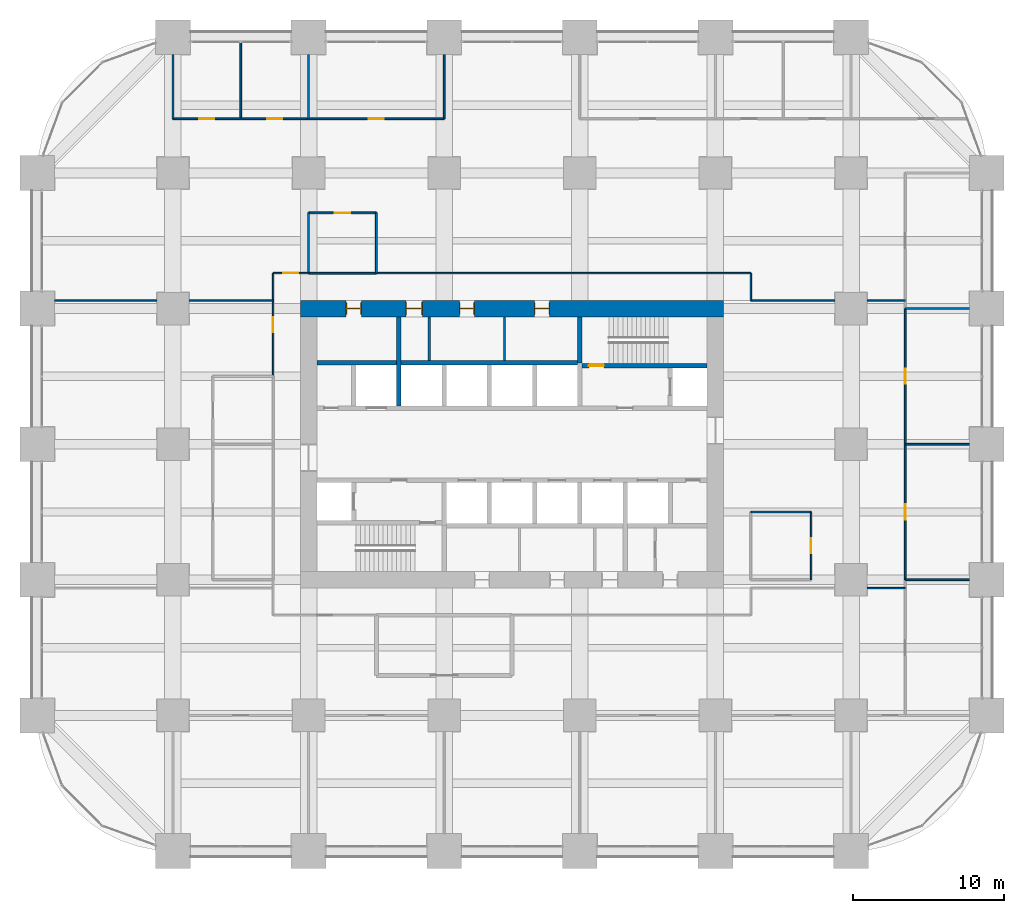
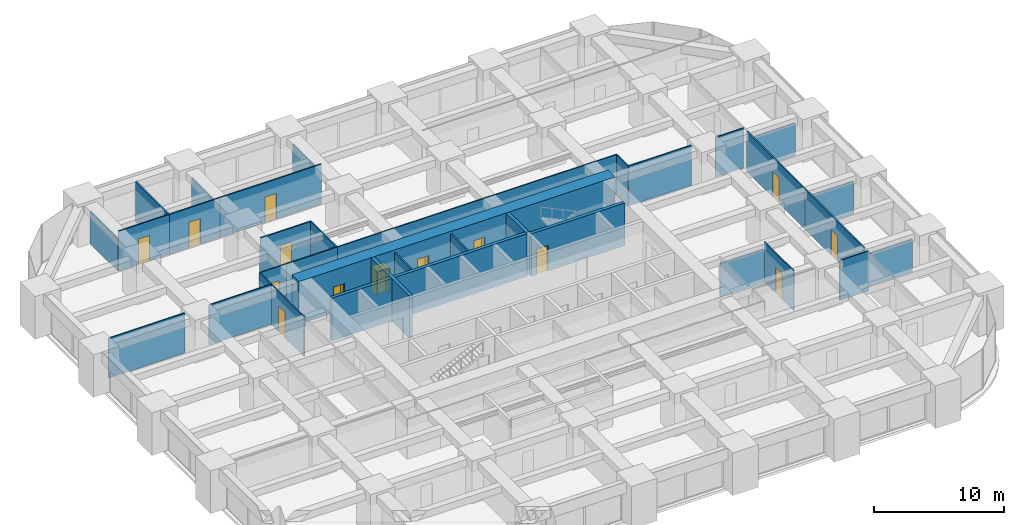
# One storey, part 41 of 44: 34 walls, 14 doors, 14 openings.
"""IFC4 building model written with IfcOpenShell, lengths in metres."""

from ifc_helpers import new_model, si_unit, direction, frame, frame_2d, origin, place, context, subcontext, project, spatial, rectangle, extrude, material, layer, layer_set, type_object, element, fill, save


model = new_model("IFC4")

# Units and contexts
model_context = context("Model", 3, precision=1e-05, world=origin(), true_north=direction((0.0, 1.0)))
body_context = subcontext(model_context, "Body", "Model", "MODEL_VIEW")
ifc_project = project(units=[si_unit("LENGTHUNIT", "METRE"), si_unit("AREAUNIT", "SQUARE_METRE"), si_unit("VOLUMEUNIT", "CUBIC_METRE"), si_unit("PLANEANGLEUNIT", "RADIAN"), si_unit("MASSUNIT", "GRAM", prefix="KILO")], contexts=[model_context])

# Site, building, storey
site_placement = place(None, origin())
site = spatial("IfcSite", under=ifc_project, at=site_placement, CompositionType="ELEMENT")
building_placement = place(site_placement, origin())
building = spatial("IfcBuilding", under=site, at=building_placement, Name="Zorevar Civic Tower", CompositionType="ELEMENT")
storey_placement = place(building_placement, frame((0.0, 0.0, 51.800048828125)))
storey = spatial("IfcBuildingStorey", under=building, at=storey_placement, Name="L12", CompositionType="ELEMENT", Elevation=51.800048828125)

# Wall, openings, doors
ifc_material_1 = material(Name="Concrete C50/60", Category="concrete")
ifc_layer_1 = layer(ifc_material_1, 1.10009765625)
ifc_layer_set_1 = layer_set([ifc_layer_1], Name="Core wall 1100")
wall_type_1 = type_object("IfcWallType", Name="Core wall 1100", PredefinedType="SHEAR", material=ifc_layer_set_1)
wall_1_placement = place(storey_placement, frame((45.550048828125, 36.0, 0.0), z_axis=(0.0, 0.0, 1.0), x_axis=(-1.0, 0.0, 0.0)))
wall_1 = element("IfcWall", 1, at=wall_1_placement, inside=storey, type_object=wall_type_1, Name="Core wall N L12", PredefinedType="SHEAR", context=body_context, shape_type="SweptSolid", body=[
    extrude(rectangle(XDim=28.10009765625, YDim=1.10009765625, at=frame_2d((14.050048828125, 0.0))), origin(), (0.0, 0.0, 1.0), 4.0),
])
opening_1_placement = place(wall_1_placement, frame((11.550048828125, 0.0, 0.0)))
opening_1 = element("IfcOpeningElement", 2, at=opening_1_placement, cuts=wall_1, Name="Opening L12.07", PredefinedType="OPENING", context=body_context, shape_type="SweptSolid", body=[
    extrude(rectangle(XDim=1.0, YDim=2.39990234375, at=frame_2d((0.5, 1.199951171875))), frame((0.0, 0.56005859375, 0.0), z_axis=(0.0, -1.0, 0.0), x_axis=(1.0, 0.0, 0.0)), (0.0, 0.0, 1.0), 1.1201171875),
])
opening_2_placement = place(wall_1_placement, frame((16.550048828125, 0.0, 0.0)))
opening_2 = element("IfcOpeningElement", 3, at=opening_2_placement, cuts=wall_1, Name="Opening L12.08", PredefinedType="OPENING", context=body_context, shape_type="SweptSolid", body=[
    extrude(rectangle(XDim=1.0, YDim=2.39990234375, at=frame_2d((0.5, 1.199951171875))), frame((0.0, 0.56005859375, 0.0), z_axis=(0.0, -1.0, 0.0), x_axis=(1.0, 0.0, 0.0)), (0.0, 0.0, 1.0), 1.1201171875),
])
opening_3_placement = place(wall_1_placement, frame((20.0, 0.0, 0.0)))
opening_3 = element("IfcOpeningElement", 4, at=opening_3_placement, cuts=wall_1, Name="Opening L12.09", PredefinedType="OPENING", context=body_context, shape_type="SweptSolid", body=[
    extrude(rectangle(XDim=1.10009765625, YDim=2.39990234375, at=frame_2d((0.550048828125, 1.199951171875))), frame((0.0, 0.56005859375, 0.0), z_axis=(0.0, -1.0, 0.0), x_axis=(1.0, 0.0, 0.0)), (0.0, 0.0, 1.0), 1.1201171875),
])
opening_4_placement = place(wall_1_placement, frame((24.050048828125, 0.0, 0.0)))
opening_4 = element("IfcOpeningElement", 5, at=opening_4_placement, cuts=wall_1, Name="Opening L12.10", PredefinedType="OPENING", context=body_context, shape_type="SweptSolid", body=[
    extrude(rectangle(XDim=1.0, YDim=2.39990234375, at=frame_2d((0.5, 1.199951171875))), frame((0.0, 0.56005859375, 0.0), z_axis=(0.0, -1.0, 0.0), x_axis=(1.0, 0.0, 0.0)), (0.0, 0.0, 1.0), 1.1201171875),
])
ifc_material_2 = material(Name="Timber door set", Category="wood")
door_type_1 = type_object("IfcDoorType", Name="Door D1 1000x2400", OperationType="SINGLE_SWING_LEFT", PredefinedType="DOOR", material=ifc_material_2)
door_1_placement = place(opening_1_placement, origin())
door_1 = element("IfcDoor", 6, at=door_1_placement, inside=storey, type_object=door_type_1, Name="Door L12 06", OperationType="SINGLE_SWING_RIGHT", OverallHeight=2.39990234375, OverallWidth=1.0, PredefinedType="DOOR", context=body_context, shape_type="SweptSolid", body=[
    extrude(rectangle(XDim=1.0, YDim=2.39990234375, at=frame_2d((0.5, 1.199951171875))), frame((0.0, 0.02490234375, 0.0), z_axis=(0.0, -1.0, 0.0), x_axis=(1.0, 0.0, 0.0)), (0.0, 0.0, 1.0), 0.050048828125),
    extrude(rectangle(XDim=0.04, YDim=2.39990234375, at=frame_2d((0.02001953125, 1.199951171875))), frame((0.0, 0.39990234375, 0.0), z_axis=(0.0, -1.0, 0.0), x_axis=(1.0, 0.0, 0.0)), (0.0, 0.0, 1.0), 0.800048828125),
    extrude(rectangle(XDim=0.04, YDim=2.39990234375, at=frame_2d((0.97998046875, 1.199951171875))), frame((0.0, 0.39990234375, 0.0), z_axis=(0.0, -1.0, 0.0), x_axis=(1.0, 0.0, 0.0)), (0.0, 0.0, 1.0), 0.800048828125),
    extrude(rectangle(XDim=1.0, YDim=0.04, at=frame_2d((0.5, 2.3798828125))), frame((0.0, 0.39990234375, 0.0), z_axis=(0.0, -1.0, 0.0), x_axis=(1.0, 0.0, 0.0)), (0.0, 0.0, 1.0), 0.800048828125),
])
fill(opening_1, door_1)
door_2_placement = place(opening_2_placement, origin())
door_2 = element("IfcDoor", 7, at=door_2_placement, inside=storey, type_object=door_type_1, Name="Door L12 07", OperationType="SINGLE_SWING_LEFT", OverallHeight=2.39990234375, OverallWidth=1.0, PredefinedType="DOOR", context=body_context, shape_type="SweptSolid", body=[
    extrude(rectangle(XDim=1.0, YDim=2.39990234375, at=frame_2d((0.5, 1.199951171875))), frame((0.0, 0.02490234375, 0.0), z_axis=(0.0, -1.0, 0.0), x_axis=(1.0, 0.0, 0.0)), (0.0, 0.0, 1.0), 0.050048828125),
    extrude(rectangle(XDim=0.04, YDim=2.39990234375, at=frame_2d((0.02001953125, 1.199951171875))), frame((0.0, 0.39990234375, 0.0), z_axis=(0.0, -1.0, 0.0), x_axis=(1.0, 0.0, 0.0)), (0.0, 0.0, 1.0), 0.800048828125),
    extrude(rectangle(XDim=0.04, YDim=2.39990234375, at=frame_2d((0.97998046875, 1.199951171875))), frame((0.0, 0.39990234375, 0.0), z_axis=(0.0, -1.0, 0.0), x_axis=(1.0, 0.0, 0.0)), (0.0, 0.0, 1.0), 0.800048828125),
    extrude(rectangle(XDim=1.0, YDim=0.04, at=frame_2d((0.5, 2.3798828125))), frame((0.0, 0.39990234375, 0.0), z_axis=(0.0, -1.0, 0.0), x_axis=(1.0, 0.0, 0.0)), (0.0, 0.0, 1.0), 0.800048828125),
])
fill(opening_2, door_2)
door_3_placement = place(opening_4_placement, origin())
door_3 = element("IfcDoor", 8, at=door_3_placement, inside=storey, type_object=door_type_1, Name="Door L12 09", OperationType="SINGLE_SWING_LEFT", OverallHeight=2.39990234375, OverallWidth=1.0, PredefinedType="DOOR", context=body_context, shape_type="SweptSolid", body=[
    extrude(rectangle(XDim=1.0, YDim=2.39990234375, at=frame_2d((0.5, 1.199951171875))), frame((0.0, 0.02490234375, 0.0), z_axis=(0.0, -1.0, 0.0), x_axis=(1.0, 0.0, 0.0)), (0.0, 0.0, 1.0), 0.050048828125),
    extrude(rectangle(XDim=0.04, YDim=2.39990234375, at=frame_2d((0.02001953125, 1.199951171875))), frame((0.0, 0.39990234375, 0.0), z_axis=(0.0, -1.0, 0.0), x_axis=(1.0, 0.0, 0.0)), (0.0, 0.0, 1.0), 0.800048828125),
    extrude(rectangle(XDim=0.04, YDim=2.39990234375, at=frame_2d((0.97998046875, 1.199951171875))), frame((0.0, 0.39990234375, 0.0), z_axis=(0.0, -1.0, 0.0), x_axis=(1.0, 0.0, 0.0)), (0.0, 0.0, 1.0), 0.800048828125),
    extrude(rectangle(XDim=1.0, YDim=0.04, at=frame_2d((0.5, 2.3798828125))), frame((0.0, 0.39990234375, 0.0), z_axis=(0.0, -1.0, 0.0), x_axis=(1.0, 0.0, 0.0)), (0.0, 0.0, 1.0), 0.800048828125),
])
fill(opening_4, door_3)
ifc_material_3 = material(Name="Timber door set", Category="wood")
door_type_2 = type_object("IfcDoorType", Name="Door D5 1100x2400", OperationType="SINGLE_SWING_LEFT", PredefinedType="DOOR", material=ifc_material_3)
door_4_placement = place(opening_3_placement, origin())
door_4 = element("IfcDoor", 9, at=door_4_placement, inside=storey, type_object=door_type_2, Name="Door L12 08", OperationType="SINGLE_SWING_LEFT", OverallHeight=2.39990234375, OverallWidth=1.10009765625, PredefinedType="DOOR", context=body_context, shape_type="SweptSolid", body=[
    extrude(rectangle(XDim=1.10009765625, YDim=2.39990234375, at=frame_2d((0.550048828125, 1.199951171875))), frame((0.0, 0.02490234375, 0.0), z_axis=(0.0, -1.0, 0.0), x_axis=(1.0, 0.0, 0.0)), (0.0, 0.0, 1.0), 0.050048828125),
    extrude(rectangle(XDim=0.04, YDim=2.39990234375, at=frame_2d((0.02001953125, 1.199951171875))), frame((0.0, 0.43994140625, 0.0), z_axis=(0.0, -1.0, 0.0), x_axis=(1.0, 0.0, 0.0)), (0.0, 0.0, 1.0), 0.880126953125),
    extrude(rectangle(XDim=0.04, YDim=2.39990234375, at=frame_2d((1.080078125, 1.199951171875))), frame((0.0, 0.43994140625, 0.0), z_axis=(0.0, -1.0, 0.0), x_axis=(1.0, 0.0, 0.0)), (0.0, 0.0, 1.0), 0.880126953125),
    extrude(rectangle(XDim=1.10009765625, YDim=0.04, at=frame_2d((0.550048828125, 2.3798828125))), frame((0.0, 0.43994140625, 0.0), z_axis=(0.0, -1.0, 0.0), x_axis=(1.0, 0.0, 0.0)), (0.0, 0.0, 1.0), 0.880126953125),
])
fill(opening_3, door_4)

# Walls
ifc_material_4 = material(Name="Laminated glass in black aluminium frame", Category="aluminium")
ifc_layer_2 = layer(ifc_material_4, 0.10009765625)
ifc_layer_set_2 = layer_set([ifc_layer_2], Name="Glazed partition 100")
wall_type_2 = type_object("IfcWallType", Name="Glazed partition 100", PredefinedType="PARTITIONING", material=ifc_layer_set_2)
wall_2_placement = place(storey_placement, frame((55.074951171875, 17.449951171875, 0.0), z_axis=(0.0, 0.0, 1.0), x_axis=(1.0, 0.0, 0.0)))
element("IfcWall", 10, at=wall_2_placement, inside=storey, type_object=wall_type_2, Name="Glazed partition 100 L12", PredefinedType="PARTITIONING", context=body_context, shape_type="SweptSolid", body=[
    extrude(rectangle(XDim=2.53515625, YDim=0.10009765625, at=frame_2d((1.267578125, 0.0))), origin(), (0.0, 0.0, 1.0), 3.75),
])
wall_3_placement = place(storey_placement, frame((1.14990234375, 36.550048828125, 0.0), z_axis=(0.0, 0.0, 1.0), x_axis=(1.0, 0.0, 0.0)))
element("IfcWall", 11, at=wall_3_placement, inside=storey, type_object=wall_type_2, Name="Glazed partition 100 L12", PredefinedType="PARTITIONING", context=body_context, shape_type="SweptSolid", body=[
    extrude(rectangle(XDim=6.775146484375, YDim=0.10009765625, at=frame_2d((3.3876953125, 0.0))), origin(), (0.0, 0.0, 1.0), 3.75),
])
for number, where, z_axis, x_axis, name in (
    (12, (10.074951171875, 36.550048828125, 0.0), (0.0, 0.0, 1.0), (1.0, 0.0, 0.0), "Glazed partition 100 L12"),
    (13, (47.35009765625, 36.550048828125, 0.0), (0.0, 0.0, 1.0), (1.0, 0.0, 0.0), "Glazed partition 100 L12"),
):
    element("IfcWall", number, at=place(storey_placement, frame(where, z_axis=z_axis, x_axis=x_axis)), inside=storey, type_object=wall_type_2, Name=name, PredefinedType="PARTITIONING", context=body_context, shape_type="SweptSolid", body=[
        extrude(rectangle(XDim=5.574951171875, YDim=0.10009765625, at=frame_2d((2.78759765625, 0.0))), origin(), (0.0, 0.0, 1.0), 3.75),
    ])
wall_4_placement = place(storey_placement, frame((55.074951171875, 36.550048828125, 0.0), z_axis=(0.0, 0.0, 1.0), x_axis=(1.0, 0.0, 0.0)))
element("IfcWall", 14, at=wall_4_placement, inside=storey, type_object=wall_type_2, Name="Glazed partition 100 L12", PredefinedType="PARTITIONING", context=body_context, shape_type="SweptSolid", body=[
    extrude(rectangle(XDim=2.53515625, YDim=0.10009765625, at=frame_2d((1.267578125, 0.0))), origin(), (0.0, 0.0, 1.0), 3.75),
])

# Wall, opening, door
wall_5_placement = place(storey_placement, frame((15.64990234375, 38.35009765625, 0.0), z_axis=(0.0, 0.0, 1.0), x_axis=(1.0, 0.0, 0.0)))
wall_5 = element("IfcWall", 15, at=wall_5_placement, inside=storey, type_object=wall_type_2, Name="Glazed partition 100 L12", PredefinedType="PARTITIONING", context=body_context, shape_type="SweptSolid", body=[
    extrude(rectangle(XDim=2.35009765625, YDim=0.10009765625, at=frame_2d((1.175048828125, 0.0))), origin(), (0.0, 0.0, 1.0), 3.75),
])
opening_5_placement = place(wall_5_placement, frame((0.675048828125, 0.0, 0.0)))
opening_5 = element("IfcOpeningElement", 16, at=opening_5_placement, cuts=wall_5, Name="Opening L12.24", PredefinedType="OPENING", context=body_context, shape_type="SweptSolid", body=[
    extrude(rectangle(XDim=1.0, YDim=2.39990234375, at=frame_2d((0.5, 1.199951171875))), frame((0.0, 0.06005859375, 0.0), z_axis=(0.0, -1.0, 0.0), x_axis=(1.0, 0.0, 0.0)), (0.0, 0.0, 1.0), 0.1201171875),
])
ifc_material_5 = material(Name="Timber door set", Category="wood")
door_type_3 = type_object("IfcDoorType", Name="Glazed door GD1 1000x2400", OperationType="SINGLE_SWING_LEFT", PredefinedType="DOOR", material=ifc_material_5)
door_5_placement = place(opening_5_placement, origin())
door_5 = element("IfcDoor", 17, at=door_5_placement, inside=storey, type_object=door_type_3, Name="Door L12 D1", OperationType="SINGLE_SWING_LEFT", OverallHeight=2.39990234375, OverallWidth=1.0, PredefinedType="DOOR", context=body_context, shape_type="SweptSolid", body=[
    extrude(rectangle(XDim=1.0, YDim=2.39990234375, at=frame_2d((0.5, 1.199951171875))), frame((0.0, 0.02001953125, 0.0), z_axis=(0.0, -1.0, 0.0), x_axis=(1.0, 0.0, 0.0)), (0.0, 0.0, 1.0), 0.0400390625),
])
fill(opening_5, door_5)

# Wall
wall_6_placement = place(storey_placement, frame((22.5, 38.35009765625, 0.0), z_axis=(0.0, 0.0, 1.0), x_axis=(1.0, 0.0, 0.0)))
element("IfcWall", 18, at=wall_6_placement, inside=storey, type_object=wall_type_2, Name="Glazed partition 100 L12", PredefinedType="PARTITIONING", context=body_context, shape_type="SweptSolid", body=[
    extrude(rectangle(XDim=24.85009765625, YDim=0.10009765625, at=frame_2d((12.425048828125, 0.0))), origin(), (0.0, 0.0, 1.0), 3.75),
])

# Wall, opening, door
wall_7_placement = place(storey_placement, frame((15.64990234375, 31.5, 0.0), z_axis=(0.0, 0.0, 1.0), x_axis=(0.0, 1.0, 0.0)))
wall_7 = element("IfcWall", 19, at=wall_7_placement, inside=storey, type_object=wall_type_2, Name="Glazed partition 100 L12", PredefinedType="PARTITIONING", context=body_context, shape_type="SweptSolid", body=[
    extrude(rectangle(XDim=6.85009765625, YDim=0.10009765625, at=frame_2d((3.425048828125, 0.0))), origin(), (0.0, 0.0, 1.0), 3.75),
])
opening_6_placement = place(wall_7_placement, frame((2.925048828125, 0.0, 0.0)))
opening_6 = element("IfcOpeningElement", 20, at=opening_6_placement, cuts=wall_7, Name="Opening L12.35", PredefinedType="OPENING", context=body_context, shape_type="SweptSolid", body=[
    extrude(rectangle(XDim=1.0, YDim=2.39990234375, at=frame_2d((0.5, 1.199951171875))), frame((0.0, 0.06005859375, 0.0), z_axis=(0.0, -1.0, 0.0), x_axis=(1.0, 0.0, 0.0)), (0.0, 0.0, 1.0), 0.1201171875),
])
door_6_placement = place(opening_6_placement, origin())
door_6 = element("IfcDoor", 21, at=door_6_placement, inside=storey, type_object=door_type_3, Name="Door L12 D1", OperationType="SINGLE_SWING_LEFT", OverallHeight=2.39990234375, OverallWidth=1.0, PredefinedType="DOOR", context=body_context, shape_type="SweptSolid", body=[
    extrude(rectangle(XDim=1.0, YDim=2.39990234375, at=frame_2d((0.5, 1.199951171875))), frame((0.0, 0.02001953125, 0.0), z_axis=(0.0, -1.0, 0.0), x_axis=(1.0, 0.0, 0.0)), (0.0, 0.0, 1.0), 0.0400390625),
])
fill(opening_6, door_6)

# Wall
wall_8_placement = place(storey_placement, frame((47.35009765625, 36.550048828125, 0.0), z_axis=(0.0, 0.0, 1.0), x_axis=(0.0, 1.0, 0.0)))
element("IfcWall", 22, at=wall_8_placement, inside=storey, type_object=wall_type_2, Name="Glazed partition 100 L12", PredefinedType="PARTITIONING", context=body_context, shape_type="SweptSolid", body=[
    extrude(rectangle(XDim=1.800048828125, YDim=0.10009765625, at=frame_2d((0.89990234375, 0.0))), origin(), (0.0, 0.0, 1.0), 3.75),
])

# Wall, opening, door
wall_9_placement = place(storey_placement, frame((51.35009765625, 18.0, 0.0), z_axis=(0.0, 0.0, 1.0), x_axis=(0.0, 1.0, 0.0)))
wall_9 = element("IfcWall", 23, at=wall_9_placement, inside=storey, type_object=wall_type_2, Name="Glazed partition 100 L12", PredefinedType="PARTITIONING", context=body_context, shape_type="SweptSolid", body=[
    extrude(rectangle(XDim=4.5, YDim=0.10009765625, at=frame_2d((2.25, 0.0))), origin(), (0.0, 0.0, 1.0), 3.75),
])
opening_7_placement = place(wall_9_placement, frame((1.75, 0.0, 0.0)))
opening_7 = element("IfcOpeningElement", 24, at=opening_7_placement, cuts=wall_9, Name="Opening L12.36", PredefinedType="OPENING", context=body_context, shape_type="SweptSolid", body=[
    extrude(rectangle(XDim=1.0, YDim=2.39990234375, at=frame_2d((0.5, 1.199951171875))), frame((0.0, 0.06005859375, 0.0), z_axis=(0.0, -1.0, 0.0), x_axis=(1.0, 0.0, 0.0)), (0.0, 0.0, 1.0), 0.1201171875),
])
door_7_placement = place(opening_7_placement, origin())
door_7 = element("IfcDoor", 25, at=door_7_placement, inside=storey, type_object=door_type_3, Name="Door L12 D1", OperationType="SINGLE_SWING_LEFT", OverallHeight=2.39990234375, OverallWidth=1.0, PredefinedType="DOOR", context=body_context, shape_type="SweptSolid", body=[
    extrude(rectangle(XDim=1.0, YDim=2.39990234375, at=frame_2d((0.5, 1.199951171875))), frame((0.0, 0.02001953125, 0.0), z_axis=(0.0, -1.0, 0.0), x_axis=(1.0, 0.0, 0.0)), (0.0, 0.0, 1.0), 0.0400390625),
])
fill(opening_7, door_7)

ifc_material_6 = material(Name="Concrete C40/50", Category="concrete")
ifc_layer_3 = layer(ifc_material_6, 0.300048828125)
ifc_layer_set_3 = layer_set([ifc_layer_3], Name="Inner core wall 300")
wall_type_3 = type_object("IfcWallType", Name="Inner core wall 300", PredefinedType="SHEAR", material=ifc_layer_set_3)
wall_10_placement = place(storey_placement, frame((36.14990234375, 32.199951171875, 0.0), z_axis=(0.0, 0.0, 1.0), x_axis=(1.0, 0.0, 0.0)))
wall_10 = element("IfcWall", 26, at=wall_10_placement, inside=storey, type_object=wall_type_3, Name="Inner core wall N00 L12", PredefinedType="SHEAR", context=body_context, shape_type="SweptSolid", body=[
    extrude(rectangle(XDim=8.300048828125, YDim=0.300048828125, at=frame_2d((4.14990234375, 0.0))), origin(), (0.0, 0.0, 1.0), 4.0),
])
opening_8_placement = place(wall_10_placement, frame((0.449951171875, 0.0, 0.0)))
opening_8 = element("IfcOpeningElement", 27, at=opening_8_placement, cuts=wall_10, Name="Opening L12.12", PredefinedType="OPENING", context=body_context, shape_type="SweptSolid", body=[
    extrude(rectangle(XDim=1.0, YDim=2.39990234375, at=frame_2d((0.5, 1.199951171875))), frame((0.0, 0.159912109375, 0.0), z_axis=(0.0, -1.0, 0.0), x_axis=(1.0, 0.0, 0.0)), (0.0, 0.0, 1.0), 0.320068359375),
])
ifc_material_7 = material(Name="Steel door set", Category="steel")
door_type_4 = type_object("IfcDoorType", Name="Fire door FD1 1000x2400", OperationType="SINGLE_SWING_LEFT", PredefinedType="DOOR", material=ifc_material_7)
door_8_placement = place(opening_8_placement, origin())
door_8 = element("IfcDoor", 28, at=door_8_placement, inside=storey, type_object=door_type_4, Name="Door L12 11", OperationType="SINGLE_SWING_RIGHT", OverallHeight=2.39990234375, OverallWidth=1.0, PredefinedType="DOOR", context=body_context, shape_type="SweptSolid", body=[
    extrude(rectangle(XDim=1.0, YDim=2.39990234375, at=frame_2d((0.5, 1.199951171875))), frame((0.0, 0.030029296875, 0.0), z_axis=(0.0, -1.0, 0.0), x_axis=(1.0, 0.0, 0.0)), (0.0, 0.0, 1.0), 0.06005859375),
])
fill(opening_8, door_8)

# Walls
wall_11_placement = place(storey_placement, frame((36.0, 32.39990234375, 0.0), z_axis=(0.0, 0.0, 1.0), x_axis=(0.0, 1.0, 0.0)))
element("IfcWall", 29, at=wall_11_placement, inside=storey, type_object=wall_type_3, Name="Inner core wall N01 L12", PredefinedType="SHEAR", context=body_context, shape_type="SweptSolid", body=[
    extrude(rectangle(XDim=3.050048828125, YDim=0.300048828125, at=frame_2d((1.52490234375, 0.0))), origin(), (0.0, 0.0, 1.0), 4.0),
])
wall_12_placement = place(storey_placement, frame((18.550048828125, 32.39990234375, 0.0), z_axis=(0.0, 0.0, 1.0), x_axis=(1.0, 0.0, 0.0)))
element("IfcWall", 30, at=wall_12_placement, inside=storey, type_object=wall_type_3, Name="Inner core wall N04 L12", PredefinedType="SHEAR", context=body_context, shape_type="SweptSolid", body=[
    extrude(rectangle(XDim=17.300048828125, YDim=0.300048828125, at=frame_2d((8.64990234375, 0.0))), origin(), (0.0, 0.0, 1.0), 4.0),
])
wall_13_placement = place(storey_placement, frame((24.0, 29.550048828125, 0.0), z_axis=(0.0, 0.0, 1.0), x_axis=(0.0, 1.0, 0.0)))
element("IfcWall", 31, at=wall_13_placement, inside=storey, type_object=wall_type_3, Name="Inner core wall N08 L12", PredefinedType="SHEAR", context=body_context, shape_type="SweptSolid", body=[
    extrude(rectangle(XDim=5.89990234375, YDim=0.300048828125, at=frame_2d((2.949951171875, 0.0))), origin(), (0.0, 0.0, 1.0), 4.0),
])
ifc_material_8 = material(Name="Gypsum board on steel studs", Category="steel")
ifc_layer_4 = layer(ifc_material_8, 0.1201171875)
ifc_layer_set_4 = layer_set([ifc_layer_4], Name="Partition 120")
wall_type_4 = type_object("IfcWallType", Name="Partition 120", PredefinedType="PARTITIONING", material=ifc_layer_set_4)
wall_14_placement = place(storey_placement, frame((57.60009765625, 18.0, 0.0), z_axis=(0.0, 0.0, 1.0), x_axis=(1.0, 0.0, 0.0)))
element("IfcWall", 32, at=wall_14_placement, inside=storey, type_object=wall_type_4, Name="Partition 120 L12", PredefinedType="PARTITIONING", context=body_context, shape_type="SweptSolid", body=[
    extrude(rectangle(XDim=4.25, YDim=0.1201171875, at=frame_2d((2.125, 0.0))), origin(), (0.0, 0.0, 1.0), 3.050048828125),
])
wall_15_placement = place(storey_placement, frame((47.35009765625, 22.5, 0.0), z_axis=(0.0, 0.0, 1.0), x_axis=(1.0, 0.0, 0.0)))
element("IfcWall", 33, at=wall_15_placement, inside=storey, type_object=wall_type_4, Name="Partition 120 L12", PredefinedType="PARTITIONING", context=body_context, shape_type="SweptSolid", body=[
    extrude(rectangle(XDim=4.0, YDim=0.1201171875, at=frame_2d((2.0, 0.0))), origin(), (0.0, 0.0, 1.0), 3.099853515625),
])
for number, where, z_axis, x_axis, name in (
    (34, (57.60009765625, 27.0, 0.0), (0.0, 0.0, 1.0), (1.0, 0.0, 0.0), "Partition 120 L12"),
    (35, (57.60009765625, 36.0, 0.0), (0.0, 0.0, 1.0), (1.0, 0.0, 0.0), "Partition 120 L12"),
):
    element("IfcWall", number, at=place(storey_placement, frame(where, z_axis=z_axis, x_axis=x_axis)), inside=storey, type_object=wall_type_4, Name=name, PredefinedType="PARTITIONING", context=body_context, shape_type="SweptSolid", body=[
        extrude(rectangle(XDim=4.25, YDim=0.1201171875, at=frame_2d((2.125, 0.0))), origin(), (0.0, 0.0, 1.0), 3.050048828125),
    ])
wall_16_placement = place(storey_placement, frame((18.0, 38.35009765625, 0.0), z_axis=(0.0, 0.0, 1.0), x_axis=(1.0, 0.0, 0.0)))
element("IfcWall", 36, at=wall_16_placement, inside=storey, type_object=wall_type_4, Name="Partition 120 L12", PredefinedType="PARTITIONING", context=body_context, shape_type="SweptSolid", body=[
    extrude(rectangle(XDim=4.5, YDim=0.1201171875, at=frame_2d((2.25, 0.0))), origin(), (0.0, 0.0, 1.0), 3.75),
])

# Wall, opening, door
wall_17_placement = place(storey_placement, frame((18.0, 42.35009765625, 0.0), z_axis=(0.0, 0.0, 1.0), x_axis=(1.0, 0.0, 0.0)))
wall_17 = element("IfcWall", 37, at=wall_17_placement, inside=storey, type_object=wall_type_4, Name="Partition 120 L12", PredefinedType="PARTITIONING", context=body_context, shape_type="SweptSolid", body=[
    extrude(rectangle(XDim=4.5, YDim=0.1201171875, at=frame_2d((2.25, 0.0))), origin(), (0.0, 0.0, 1.0), 3.75),
])
opening_9_placement = place(wall_17_placement, frame((1.75, 0.0, 0.0)))
opening_9 = element("IfcOpeningElement", 38, at=opening_9_placement, cuts=wall_17, Name="Opening L12.25", PredefinedType="OPENING", context=body_context, shape_type="SweptSolid", body=[
    extrude(rectangle(XDim=1.0, YDim=2.39990234375, at=frame_2d((0.5, 1.199951171875))), frame((0.0, 0.070068359375, 0.0), z_axis=(0.0, -1.0, 0.0), x_axis=(1.0, 0.0, 0.0)), (0.0, 0.0, 1.0), 0.14013671875),
])
door_9_placement = place(opening_9_placement, origin())
door_9 = element("IfcDoor", 39, at=door_9_placement, inside=storey, type_object=door_type_1, Name="Door L12 D1", OperationType="SINGLE_SWING_RIGHT", OverallHeight=2.39990234375, OverallWidth=1.0, PredefinedType="DOOR", context=body_context, shape_type="SweptSolid", body=[
    extrude(rectangle(XDim=1.0, YDim=2.39990234375, at=frame_2d((0.5, 1.199951171875))), frame((0.0, 0.02490234375, 0.0), z_axis=(0.0, -1.0, 0.0), x_axis=(1.0, 0.0, 0.0)), (0.0, 0.0, 1.0), 0.050048828125),
])
fill(opening_9, door_9)

wall_18_placement = place(storey_placement, frame((9.0, 48.60009765625, 0.0), z_axis=(0.0, 0.0, 1.0), x_axis=(1.0, 0.0, 0.0)))
wall_18 = element("IfcWall", 40, at=wall_18_placement, inside=storey, type_object=wall_type_4, Name="Partition 120 L12", PredefinedType="PARTITIONING", context=body_context, shape_type="SweptSolid", body=[
    extrude(rectangle(XDim=4.5, YDim=0.1201171875, at=frame_2d((2.25, 0.0))), origin(), (0.0, 0.0, 1.0), 3.75),
])
opening_10_placement = place(wall_18_placement, frame((1.75, 0.0, 0.0)))
opening_10 = element("IfcOpeningElement", 41, at=opening_10_placement, cuts=wall_18, Name="Opening L12.26", PredefinedType="OPENING", context=body_context, shape_type="SweptSolid", body=[
    extrude(rectangle(XDim=1.0, YDim=2.39990234375, at=frame_2d((0.5, 1.199951171875))), frame((0.0, 0.070068359375, 0.0), z_axis=(0.0, -1.0, 0.0), x_axis=(1.0, 0.0, 0.0)), (0.0, 0.0, 1.0), 0.14013671875),
])
door_10_placement = place(opening_10_placement, origin())
door_10 = element("IfcDoor", 42, at=door_10_placement, inside=storey, type_object=door_type_1, Name="Door L12 D1", OperationType="SINGLE_SWING_LEFT", OverallHeight=2.39990234375, OverallWidth=1.0, PredefinedType="DOOR", context=body_context, shape_type="SweptSolid", body=[
    extrude(rectangle(XDim=1.0, YDim=2.39990234375, at=frame_2d((0.5, 1.199951171875))), frame((0.0, 0.02490234375, 0.0), z_axis=(0.0, -1.0, 0.0), x_axis=(1.0, 0.0, 0.0)), (0.0, 0.0, 1.0), 0.050048828125),
])
fill(opening_10, door_10)

wall_19_placement = place(storey_placement, frame((13.5, 48.60009765625, 0.0), z_axis=(0.0, 0.0, 1.0), x_axis=(1.0, 0.0, 0.0)))
wall_19 = element("IfcWall", 43, at=wall_19_placement, inside=storey, type_object=wall_type_4, Name="Partition 120 L12", PredefinedType="PARTITIONING", context=body_context, shape_type="SweptSolid", body=[
    extrude(rectangle(XDim=4.5, YDim=0.1201171875, at=frame_2d((2.25, 0.0))), origin(), (0.0, 0.0, 1.0), 3.75),
])
opening_11_placement = place(wall_19_placement, frame((1.75, 0.0, 0.0)))
opening_11 = element("IfcOpeningElement", 44, at=opening_11_placement, cuts=wall_19, Name="Opening L12.27", PredefinedType="OPENING", context=body_context, shape_type="SweptSolid", body=[
    extrude(rectangle(XDim=1.0, YDim=2.39990234375, at=frame_2d((0.5, 1.199951171875))), frame((0.0, 0.070068359375, 0.0), z_axis=(0.0, -1.0, 0.0), x_axis=(1.0, 0.0, 0.0)), (0.0, 0.0, 1.0), 0.14013671875),
])
door_11_placement = place(opening_11_placement, origin())
door_11 = element("IfcDoor", 45, at=door_11_placement, inside=storey, type_object=door_type_1, Name="Door L12 D1", OperationType="SINGLE_SWING_LEFT", OverallHeight=2.39990234375, OverallWidth=1.0, PredefinedType="DOOR", context=body_context, shape_type="SweptSolid", body=[
    extrude(rectangle(XDim=1.0, YDim=2.39990234375, at=frame_2d((0.5, 1.199951171875))), frame((0.0, 0.02490234375, 0.0), z_axis=(0.0, -1.0, 0.0), x_axis=(1.0, 0.0, 0.0)), (0.0, 0.0, 1.0), 0.050048828125),
])
fill(opening_11, door_11)

wall_20_placement = place(storey_placement, frame((18.0, 48.60009765625, 0.0), z_axis=(0.0, 0.0, 1.0), x_axis=(1.0, 0.0, 0.0)))
wall_20 = element("IfcWall", 46, at=wall_20_placement, inside=storey, type_object=wall_type_4, Name="Partition 120 L12", PredefinedType="PARTITIONING", context=body_context, shape_type="SweptSolid", body=[
    extrude(rectangle(XDim=9.0, YDim=0.1201171875, at=frame_2d((4.5, 0.0))), origin(), (0.0, 0.0, 1.0), 3.75),
])
opening_12_placement = place(wall_20_placement, frame((4.0, 0.0, 0.0)))
opening_12 = element("IfcOpeningElement", 47, at=opening_12_placement, cuts=wall_20, Name="Opening L12.28", PredefinedType="OPENING", context=body_context, shape_type="SweptSolid", body=[
    extrude(rectangle(XDim=1.0, YDim=2.39990234375, at=frame_2d((0.5, 1.199951171875))), frame((0.0, 0.070068359375, 0.0), z_axis=(0.0, -1.0, 0.0), x_axis=(1.0, 0.0, 0.0)), (0.0, 0.0, 1.0), 0.14013671875),
])
door_12_placement = place(opening_12_placement, origin())
door_12 = element("IfcDoor", 48, at=door_12_placement, inside=storey, type_object=door_type_1, Name="Door L12 D1", OperationType="SINGLE_SWING_LEFT", OverallHeight=2.39990234375, OverallWidth=1.0, PredefinedType="DOOR", context=body_context, shape_type="SweptSolid", body=[
    extrude(rectangle(XDim=1.0, YDim=2.39990234375, at=frame_2d((0.5, 1.199951171875))), frame((0.0, 0.02490234375, 0.0), z_axis=(0.0, -1.0, 0.0), x_axis=(1.0, 0.0, 0.0)), (0.0, 0.0, 1.0), 0.050048828125),
])
fill(opening_12, door_12)

# Walls
wall_21_placement = place(storey_placement, frame((9.0, 48.60009765625, 0.0), z_axis=(0.0, 0.0, 1.0), x_axis=(0.0, 1.0, 0.0)))
element("IfcWall", 49, at=wall_21_placement, inside=storey, type_object=wall_type_4, Name="Partition 120 L12", PredefinedType="PARTITIONING", context=body_context, shape_type="SweptSolid", body=[
    extrude(rectangle(XDim=4.25, YDim=0.1201171875, at=frame_2d((2.125, 0.0))), origin(), (0.0, 0.0, 1.0), 3.050048828125),
])
wall_22_placement = place(storey_placement, frame((13.5, 48.60009765625, 0.0), z_axis=(0.0, 0.0, 1.0), x_axis=(0.0, 1.0, 0.0)))
element("IfcWall", 50, at=wall_22_placement, inside=storey, type_object=wall_type_4, Name="Partition 120 L12", PredefinedType="PARTITIONING", context=body_context, shape_type="SweptSolid", body=[
    extrude(rectangle(XDim=5.08984375, YDim=0.1201171875, at=frame_2d((2.544921875, 0.0))), origin(), (0.0, 0.0, 1.0), 3.75),
])
wall_23_placement = place(storey_placement, frame((18.0, 48.60009765625, 0.0), z_axis=(0.0, 0.0, 1.0), x_axis=(0.0, 1.0, 0.0)))
element("IfcWall", 51, at=wall_23_placement, inside=storey, type_object=wall_type_4, Name="Partition 120 L12", PredefinedType="PARTITIONING", context=body_context, shape_type="SweptSolid", body=[
    extrude(rectangle(XDim=4.25, YDim=0.1201171875, at=frame_2d((2.125, 0.0))), origin(), (0.0, 0.0, 1.0), 3.050048828125),
])
wall_24_placement = place(storey_placement, frame((18.0, 38.35009765625, 0.0), z_axis=(0.0, 0.0, 1.0), x_axis=(0.0, 1.0, 0.0)))
element("IfcWall", 52, at=wall_24_placement, inside=storey, type_object=wall_type_4, Name="Partition 120 L12", PredefinedType="PARTITIONING", context=body_context, shape_type="SweptSolid", body=[
    extrude(rectangle(XDim=4.0, YDim=0.1201171875, at=frame_2d((2.0, 0.0))), origin(), (0.0, 0.0, 1.0), 3.050048828125),
])
wall_25_placement = place(storey_placement, frame((22.5, 38.35009765625, 0.0), z_axis=(0.0, 0.0, 1.0), x_axis=(0.0, 1.0, 0.0)))
element("IfcWall", 53, at=wall_25_placement, inside=storey, type_object=wall_type_4, Name="Partition 120 L12", PredefinedType="PARTITIONING", context=body_context, shape_type="SweptSolid", body=[
    extrude(rectangle(XDim=4.0, YDim=0.1201171875, at=frame_2d((2.0, 0.0))), origin(), (0.0, 0.0, 1.0), 3.75),
])
wall_26_placement = place(storey_placement, frame((27.0, 48.60009765625, 0.0), z_axis=(0.0, 0.0, 1.0), x_axis=(0.0, 1.0, 0.0)))
element("IfcWall", 54, at=wall_26_placement, inside=storey, type_object=wall_type_4, Name="Partition 120 L12", PredefinedType="PARTITIONING", context=body_context, shape_type="SweptSolid", body=[
    extrude(rectangle(XDim=4.25, YDim=0.1201171875, at=frame_2d((2.125, 0.0))), origin(), (0.0, 0.0, 1.0), 3.050048828125),
])

# Wall, opening, door
wall_27_placement = place(storey_placement, frame((57.60009765625, 18.0, 0.0), z_axis=(0.0, 0.0, 1.0), x_axis=(0.0, 1.0, 0.0)))
wall_27 = element("IfcWall", 55, at=wall_27_placement, inside=storey, type_object=wall_type_4, Name="Partition 120 L12", PredefinedType="PARTITIONING", context=body_context, shape_type="SweptSolid", body=[
    extrude(rectangle(XDim=9.0, YDim=0.1201171875, at=frame_2d((4.5, 0.0))), origin(), (0.0, 0.0, 1.0), 3.75),
])
opening_13_placement = place(wall_27_placement, frame((4.0, 0.0, 0.0)))
opening_13 = element("IfcOpeningElement", 56, at=opening_13_placement, cuts=wall_27, Name="Opening L12.38", PredefinedType="OPENING", context=body_context, shape_type="SweptSolid", body=[
    extrude(rectangle(XDim=1.0, YDim=2.39990234375, at=frame_2d((0.5, 1.199951171875))), frame((0.0, 0.070068359375, 0.0), z_axis=(0.0, -1.0, 0.0), x_axis=(1.0, 0.0, 0.0)), (0.0, 0.0, 1.0), 0.14013671875),
])
door_13_placement = place(opening_13_placement, origin())
door_13 = element("IfcDoor", 57, at=door_13_placement, inside=storey, type_object=door_type_1, Name="Door L12 D1", OperationType="SINGLE_SWING_RIGHT", OverallHeight=2.39990234375, OverallWidth=1.0, PredefinedType="DOOR", context=body_context, shape_type="SweptSolid", body=[
    extrude(rectangle(XDim=1.0, YDim=2.39990234375, at=frame_2d((0.5, 1.199951171875))), frame((0.0, 0.02490234375, 0.0), z_axis=(0.0, -1.0, 0.0), x_axis=(1.0, 0.0, 0.0)), (0.0, 0.0, 1.0), 0.050048828125),
])
fill(opening_13, door_13)

wall_28_placement = place(storey_placement, frame((57.60009765625, 27.0, 0.0), z_axis=(0.0, 0.0, 1.0), x_axis=(0.0, 1.0, 0.0)))
wall_28 = element("IfcWall", 58, at=wall_28_placement, inside=storey, type_object=wall_type_4, Name="Partition 120 L12", PredefinedType="PARTITIONING", context=body_context, shape_type="SweptSolid", body=[
    extrude(rectangle(XDim=9.0, YDim=0.1201171875, at=frame_2d((4.5, 0.0))), origin(), (0.0, 0.0, 1.0), 3.75),
])
opening_14_placement = place(wall_28_placement, frame((4.0, 0.0, 0.0)))
opening_14 = element("IfcOpeningElement", 59, at=opening_14_placement, cuts=wall_28, Name="Opening L12.39", PredefinedType="OPENING", context=body_context, shape_type="SweptSolid", body=[
    extrude(rectangle(XDim=1.0, YDim=2.39990234375, at=frame_2d((0.5, 1.199951171875))), frame((0.0, 0.070068359375, 0.0), z_axis=(0.0, -1.0, 0.0), x_axis=(1.0, 0.0, 0.0)), (0.0, 0.0, 1.0), 0.14013671875),
])
door_14_placement = place(opening_14_placement, origin())
door_14 = element("IfcDoor", 60, at=door_14_placement, inside=storey, type_object=door_type_1, Name="Door L12 D1", OperationType="SINGLE_SWING_LEFT", OverallHeight=2.39990234375, OverallWidth=1.0, PredefinedType="DOOR", context=body_context, shape_type="SweptSolid", body=[
    extrude(rectangle(XDim=1.0, YDim=2.39990234375, at=frame_2d((0.5, 1.199951171875))), frame((0.0, 0.02490234375, 0.0), z_axis=(0.0, -1.0, 0.0), x_axis=(1.0, 0.0, 0.0)), (0.0, 0.0, 1.0), 0.050048828125),
])
fill(opening_14, door_14)

# Walls
ifc_material_9 = material(Name="Gypsum board on steel studs, moisture resistant", Category="steel")
ifc_layer_5 = layer(ifc_material_9, 0.14990234375)
ifc_layer_set_5 = layer_set([ifc_layer_5], Name="WC partition 150")
wall_type_5 = type_object("IfcWallType", Name="WC partition 150", PredefinedType="PARTITIONING", material=ifc_layer_set_5)
for number, where, z_axis, x_axis, name in (
    (61, (31.0, 32.550048828125, 0.0), (0.0, 0.0, 1.0), (0.0, 1.0, 0.0), "WC partition L12"),
    (62, (26.0, 32.550048828125, 0.0), (0.0, 0.0, 1.0), (0.0, 1.0, 0.0), "WC partition L12"),
):
    element("IfcWall", number, at=place(storey_placement, frame(where, z_axis=z_axis, x_axis=x_axis)), inside=storey, type_object=wall_type_5, Name=name, PredefinedType="PARTITIONING", context=body_context, shape_type="SweptSolid", body=[
        extrude(rectangle(XDim=2.89990234375, YDim=0.14990234375, at=frame_2d((1.449951171875, 0.0))), origin(), (0.0, 0.0, 1.0), 3.75),
    ])

save(model, "model.ifc")
